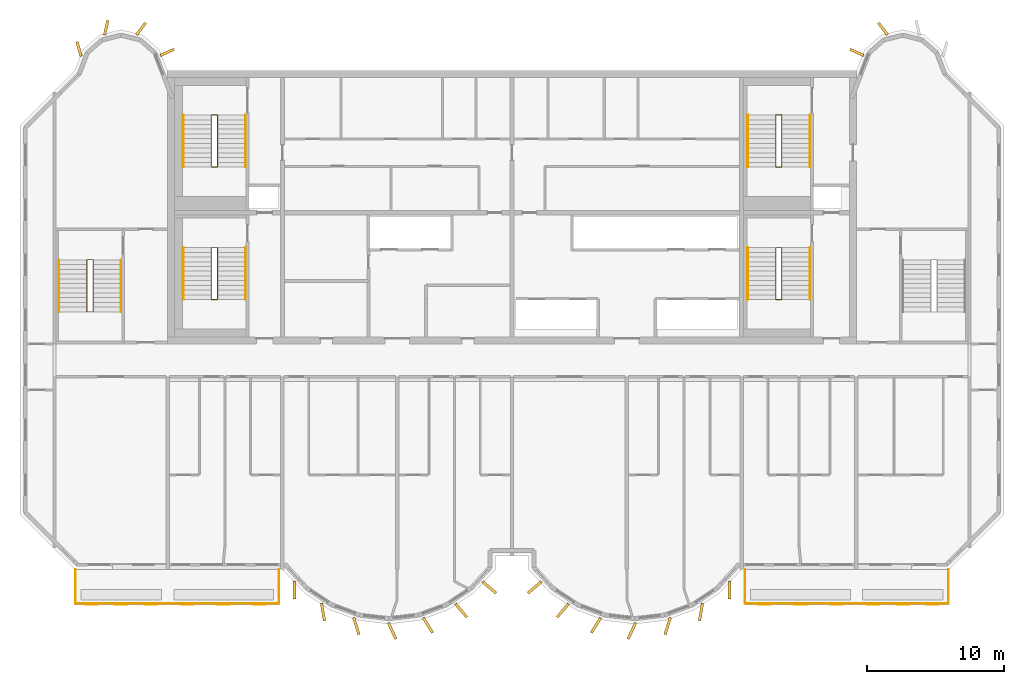
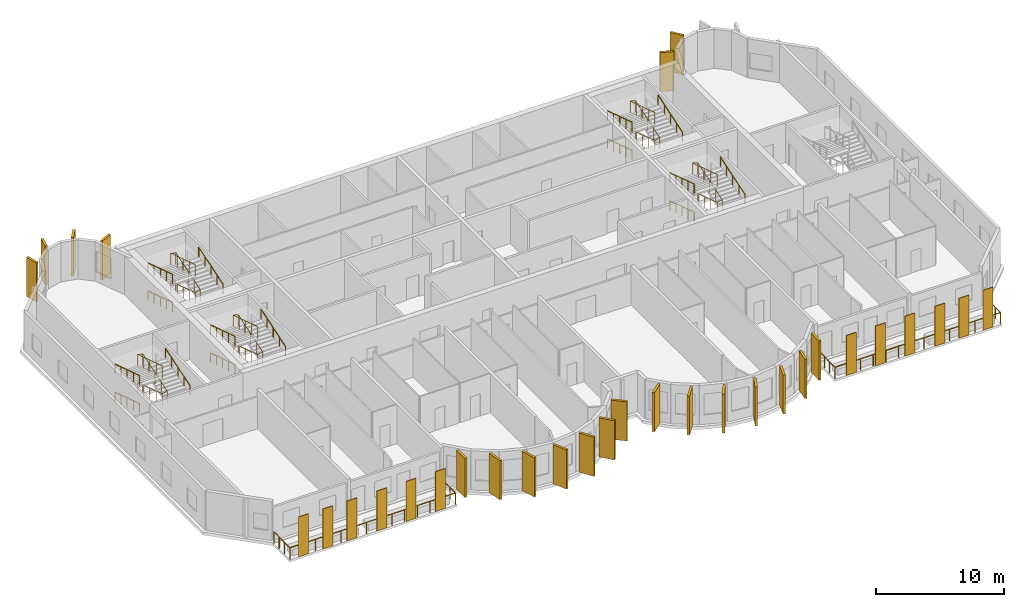
# One storey, part 10 of 12: 32 coverings, 22 railings.
"""IFC4 building model written with IfcOpenShell, lengths in metres."""

from ifc_helpers import new_model, si_unit, direction, frame, origin, origin_2d, place, context, subcontext, project, spatial, rectangle, circle, extrude, source, transform, mapped, material, layer, layer_set, material_profile, profile_set, type_object, element, save


model = new_model("IFC4")

# Units and contexts
model_context = context("Model", 3, precision=1e-05, world=origin(), true_north=direction((0.0, 1.0)))
body_context = subcontext(model_context, "Body", "Model", "MODEL_VIEW")
ifc_project = project(units=[si_unit("LENGTHUNIT", "METRE"), si_unit("AREAUNIT", "SQUARE_METRE"), si_unit("VOLUMEUNIT", "CUBIC_METRE"), si_unit("PLANEANGLEUNIT", "RADIAN"), si_unit("MASSUNIT", "GRAM", prefix="KILO")], contexts=[model_context])

# Site, building, storey
site_placement = place(None, origin())
site = spatial("IfcSite", under=ifc_project, at=site_placement, CompositionType="ELEMENT")
building_placement = place(site_placement, origin())
building = spatial("IfcBuilding", under=site, at=building_placement, Name="Vanashikhar Sky Hotel", CompositionType="ELEMENT")
storey_placement = place(building_placement, frame((0.0, 0.0, 301.699951171875)))
storey = spatial("IfcBuildingStorey", under=building, at=storey_placement, Name="L72", CompositionType="ELEMENT", Elevation=301.699951171875)

# Railings
ifc_material_1 = material(Name="Stainless steel 316", Category="steel")
railing_type_1 = type_object("IfcRailingType", Name="Balcony guard 1100", PredefinedType="GUARDRAIL", material=ifc_material_1)
shared_shape_1 = source(origin(), body_context, "Body", "SweptSolid", [
    extrude(circle(Radius=0.02392578125, at=origin_2d()), frame((0.0, 0.0, 1.076171875), z_axis=(0.0, -1.0, 0.0), x_axis=(1.0, 0.0, 0.0)), (0.0, 0.0, 1.0), 2.5),
    extrude(circle(Radius=0.02392578125, at=origin_2d()), frame((0.0, -2.5, 1.076171875), z_axis=(1.0, 0.0, 0.0), x_axis=(0.0, 1.0, 0.0)), (0.0, 0.0, 1.0), 14.880126953125),
    extrude(circle(Radius=0.02392578125, at=origin_2d()), frame((14.880126953125, -2.5, 1.076171875), z_axis=(0.0, 1.0, 0.0), x_axis=(-1.0, 0.0, 0.0)), (0.0, 0.0, 1.0), 2.5),
    extrude(circle(Radius=0.02099609375, at=origin_2d()), origin(), (0.0, 0.0, 1.0), 1.052001953125),
    extrude(circle(Radius=0.02099609375, at=origin_2d()), frame((0.0, -0.833251953125, 0.0)), (0.0, 0.0, 1.0), 1.052001953125),
    extrude(circle(Radius=0.02099609375, at=origin_2d()), frame((0.0, -1.666748046875, 0.0)), (0.0, 0.0, 1.0), 1.052001953125),
    extrude(circle(Radius=0.02099609375, at=origin_2d()), frame((0.0, -2.5, 0.0)), (0.0, 0.0, 1.0), 1.052001953125),
    extrude(circle(Radius=0.02099609375, at=origin_2d()), frame((1.14453125, -2.5, 0.0)), (0.0, 0.0, 1.0), 1.052001953125),
    extrude(circle(Radius=0.02099609375, at=origin_2d()), frame((2.289306640625, -2.5, 0.0)), (0.0, 0.0, 1.0), 1.052001953125),
    extrude(circle(Radius=0.02099609375, at=origin_2d()), frame((3.433837890625, -2.5, 0.0)), (0.0, 0.0, 1.0), 1.052001953125),
    extrude(circle(Radius=0.02099609375, at=origin_2d()), frame((4.57861328125, -2.5, 0.0)), (0.0, 0.0, 1.0), 1.052001953125),
    extrude(circle(Radius=0.02099609375, at=origin_2d()), frame((5.72314453125, -2.5, 0.0)), (0.0, 0.0, 1.0), 1.052001953125),
    extrude(circle(Radius=0.02099609375, at=origin_2d()), frame((6.86767578125, -2.5, 0.0)), (0.0, 0.0, 1.0), 1.052001953125),
    extrude(circle(Radius=0.02099609375, at=origin_2d()), frame((8.012451171875, -2.5, 0.0)), (0.0, 0.0, 1.0), 1.052001953125),
    extrude(circle(Radius=0.02099609375, at=origin_2d()), frame((9.156982421875, -2.5, 0.0)), (0.0, 0.0, 1.0), 1.052001953125),
    extrude(circle(Radius=0.02099609375, at=origin_2d()), frame((10.301513671875, -2.5, 0.0)), (0.0, 0.0, 1.0), 1.052001953125),
    extrude(circle(Radius=0.02099609375, at=origin_2d()), frame((11.4462890625, -2.5, 0.0)), (0.0, 0.0, 1.0), 1.052001953125),
    extrude(circle(Radius=0.02099609375, at=origin_2d()), frame((12.5908203125, -2.5, 0.0)), (0.0, 0.0, 1.0), 1.052001953125),
    extrude(circle(Radius=0.02099609375, at=origin_2d()), frame((13.735595703125, -2.5, 0.0)), (0.0, 0.0, 1.0), 1.052001953125),
    extrude(circle(Radius=0.02099609375, at=origin_2d()), frame((14.880126953125, -2.5, 0.0)), (0.0, 0.0, 1.0), 1.052001953125),
    extrude(circle(Radius=0.02099609375, at=origin_2d()), frame((14.880126953125, -1.666748046875, 0.0)), (0.0, 0.0, 1.0), 1.052001953125),
    extrude(circle(Radius=0.02099609375, at=origin_2d()), frame((14.880126953125, -0.833251953125, 0.0)), (0.0, 0.0, 1.0), 1.052001953125),
    extrude(circle(Radius=0.02099609375, at=origin_2d()), frame((14.880126953125, 0.0, 0.0)), (0.0, 0.0, 1.0), 1.052001953125),
])
for number, where, name in (
    (1, (18.4599609375, 5.5, -0.050048828125), "Balcony guard"),
    (2, (67.4599609375, 5.5, -0.050048828125), "Balcony guard"),
):
    element("IfcRailing", number, at=place(storey_placement, frame(where)), inside=storey, type_object=railing_type_1, Name=name, PredefinedType="GUARDRAIL", context=body_context, shape_type="MappedRepresentation", body=[
        mapped(shared_shape_1, transform((0.0, 0.0, 0.0), scale=1.0)),
    ])

# Coverings
ifc_material_2 = material(Name="Terracotta", Category="masonry")
ifc_layer = layer(ifc_material_2, 0.06005859375)
ifc_layer_set = layer_set([ifc_layer], Name="Terracotta baguette screen")
covering_type_1 = type_object("IfcCoveringType", Name="Terracotta baguette screen", PredefinedType="CLADDING", material=ifc_layer_set)
shared_shape_2 = source(origin(), body_context, "Body", "SweptSolid", [
    extrude(rectangle(XDim=0.89990234375, YDim=0.06005859375, at=origin_2d()), origin(), (0.0, 0.0, 1.0), 3.800048828125),
])
for number, where, z_axis, x_axis, name in (
    (3, (19.63330078125, 2.929931640625, -0.0498046875), (0.0, 0.0, 1.0), (1.0, 0.0, 0.0), "Terracotta screen"),
    (4, (21.800048828125, 2.929931640625, -0.0498046875), (0.0, 0.0, 1.0), (1.0, 0.0, 0.0), "Terracotta screen"),
    (5, (23.966796875, 2.929931640625, -0.0498046875), (0.0, 0.0, 1.0), (1.0, 0.0, 0.0), "Terracotta screen"),
    (6, (26.666748046875, 2.929931640625, -0.0498046875), (0.0, 0.0, 1.0), (1.0, 0.0, 0.0), "Terracotta screen"),
    (7, (29.300048828125, 2.929931640625, -0.0498046875), (0.0, 0.0, 1.0), (1.0, 0.0, 0.0), "Terracotta screen"),
    (8, (31.933349609375, 2.929931640625, -0.0498046875), (0.0, 0.0, 1.0), (1.0, 0.0, 0.0), "Terracotta screen"),
    (9, (68.86669921875, 2.929931640625, -0.0498046875), (0.0, 0.0, 1.0), (1.0, 0.0, 0.0), "Terracotta screen"),
    (10, (71.5, 2.929931640625, -0.0498046875), (0.0, 0.0, 1.0), (1.0, 0.0, 0.0), "Terracotta screen"),
    (11, (74.13330078125, 2.929931640625, -0.0498046875), (0.0, 0.0, 1.0), (1.0, 0.0, 0.0), "Terracotta screen"),
    (12, (76.833251953125, 2.929931640625, -0.0498046875), (0.0, 0.0, 1.0), (1.0, 0.0, 0.0), "Terracotta screen"),
    (13, (79.0, 2.929931640625, -0.0498046875), (0.0, 0.0, 1.0), (1.0, 0.0, 0.0), "Terracotta screen"),
    (14, (81.166748046875, 2.929931640625, -0.0498046875), (0.0, 0.0, 1.0), (1.0, 0.0, 0.0), "Terracotta screen"),
):
    element("IfcCovering", number, at=place(storey_placement, frame(where, z_axis=z_axis, x_axis=x_axis)), inside=storey, type_object=covering_type_1, Name=name, PredefinedType="CLADDING", context=body_context, shape_type="MappedRepresentation", body=[
        mapped(shared_shape_2, transform((0.0, 0.0, 0.0), scale=1.0)),
    ])
ifc_material_3 = material(Name="Concrete M60 dark", Category="concrete")
ifc_material_profile_1 = material_profile(ifc_material_3, rectangle(XDim=1.300048828125, YDim=0.199951171875, at=origin_2d()))
ifc_profile_set_1 = profile_set([ifc_material_profile_1], Name="Fin 1300 x 200")
covering_type_2 = type_object("IfcCoveringType", Name="Fin 1300 x 200", PredefinedType="CLADDING", material=ifc_profile_set_1)
shared_shape_3 = source(origin(), body_context, "Body", "SweptSolid", [
    extrude(rectangle(XDim=1.300048828125, YDim=0.199951171875, at=origin_2d()), origin(), (0.0, 0.0, 1.0), 3.719970703125),
])
for number, where, z_axis, x_axis, name in (
    (15, (34.482421875, 3.992919921875, 0.0), (0.0, 0.0, 1.0), (0.011588726826, -0.999932848451, 0.0), "Fin F1-1"),
    (16, (36.572509765625, 2.3779296875, 0.0), (0.0, 0.0, 1.0), (0.16989991575, -0.985461322746, 0.0), "Fin F1-2"),
    (17, (39.00830078125, 1.35693359375, 0.0), (0.0, 0.0, 1.0), (0.303966551867, -0.952682704444, 0.0), "Fin F1-3"),
    (18, (41.63232421875, 1.00146484375, 0.0), (0.0, 0.0, 1.0), (0.422618261741, -0.906307787037, 0.0), "Fin F1-4"),
    (19, (44.251953125, 1.416015625, 0.0), (0.0, 0.0, 1.0), (0.534411358496, -0.845224526331, 0.0), "Fin F1-5"),
    (20, (46.676025390625, 2.5, 0.0), (0.0, 0.0, 1.0), (0.645697609467, -0.763593214433, 0.0), "Fin F1-6"),
    (21, (48.7412109375, 4.1845703125, 0.0), (0.0, 0.0, 1.0), (0.758543912032, -0.65162192529, 0.0), "Fin F1-7"),
    (22, (52.058837890625, 4.1845703125, 0.0), (0.0, 0.0, 1.0), (-0.758543912032, -0.65162192529, 0.0), "Fin F2-1"),
    (23, (54.123779296875, 2.5, 0.0), (0.0, 0.0, 1.0), (-0.645697609467, -0.763593214433, 0.0), "Fin F2-2"),
    (24, (56.547119140625, 1.416015625, 0.0), (0.0, 0.0, 1.0), (-0.534411358496, -0.845224526331, 0.0), "Fin F2-3"),
    (25, (59.16748046875, 1.00146484375, 0.0), (0.0, 0.0, 1.0), (-0.422618261741, -0.906307787037, 0.0), "Fin F2-4"),
    (26, (61.790771484375, 1.35693359375, 0.0), (0.0, 0.0, 1.0), (-0.303966551867, -0.952682704444, 0.0), "Fin F2-5"),
    (27, (64.2275390625, 2.3779296875, 0.0), (0.0, 0.0, 1.0), (-0.16989991575, -0.985461322746, 0.0), "Fin F2-6"),
    (28, (66.317626953125, 3.992919921875, 0.0), (0.0, 0.0, 1.0), (-0.011588726826, -0.999932848451, 0.0), "Fin F2-7"),
):
    element("IfcCovering", number, at=place(storey_placement, frame(where, z_axis=z_axis, x_axis=x_axis)), inside=storey, type_object=covering_type_2, Name=name, PredefinedType="CLADDING", context=body_context, shape_type="MappedRepresentation", body=[
        mapped(shared_shape_3, transform((0.0, 0.0, 0.0), scale=1.0)),
    ])
ifc_material_profile_2 = material_profile(ifc_material_3, rectangle(XDim=1.10009765625, YDim=0.199951171875, at=origin_2d()))
ifc_profile_set_2 = profile_set([ifc_material_profile_2], Name="Rear lobe fin 1100 x 200")
covering_type_3 = type_object("IfcCoveringType", Name="Rear lobe fin 1100 x 200", PredefinedType="CLADDING", material=ifc_profile_set_2)
shared_shape_4 = source(origin(), body_context, "Body", "SweptSolid", [
    extrude(rectangle(XDim=1.10009765625, YDim=0.199951171875, at=origin_2d()), origin(), (0.0, 0.0, 1.0), 3.719970703125),
])
for number, where, z_axis, x_axis, name in (
    (29, (18.720703125, 43.580078125, 0.0), (0.0, 0.0, 1.0), (-0.262711264409, 0.964874495234, 0.0), "Fin R1-1"),
    (30, (20.710205078125, 45.1455078125, 0.0), (0.0, 0.0, 1.0), (0.224644935864, 0.974440687159, 0.0), "Fin R1-2"),
    (31, (23.261962890625, 45.06640625, 0.0), (0.0, 0.0, 1.0), (0.602065892195, 0.798446404874, 0.0), "Fin R1-3"),
    (32, (25.169677734375, 43.33447265625, 0.0), (0.0, 0.0, 1.0), (0.908004291068, 0.418960866193, 0.0), "Fin R1-4"),
    (33, (75.63037109375, 43.33447265625, 0.0), (0.0, 0.0, 1.0), (-0.908004291068, 0.418960866193, 0.0), "Fin R2-1"),
    (34, (77.5380859375, 45.06640625, 0.0), (0.0, 0.0, 1.0), (-0.602065892195, 0.798446404874, 0.0), "Fin R2-2"),
):
    element("IfcCovering", number, at=place(storey_placement, frame(where, z_axis=z_axis, x_axis=x_axis)), inside=storey, type_object=covering_type_3, Name=name, PredefinedType="CLADDING", context=body_context, shape_type="MappedRepresentation", body=[
        mapped(shared_shape_4, transform((0.0, 0.0, 0.0), scale=1.0)),
    ])

# Railings
ifc_material_4 = material(Name="Steel S355", Category="steel")
railing_type_2 = type_object("IfcRailingType", Name="Stair guard 1100", PredefinedType="GUARDRAIL", material=ifc_material_4)
shared_shape_5 = source(origin(), body_context, "Body", "SweptSolid", [
    extrude(circle(Radius=0.02392578125, at=origin_2d()), frame((0.0, 0.0, 1.076171875), z_axis=(-0.970881249867, 0.0, 0.239561262847), x_axis=(0.0, -1.0, 0.0)), (0.0, 0.0, 1.0), 0.463623046875),
    extrude(circle(Radius=0.02392578125, at=origin_2d()), frame((-0.4501953125, 0.0, 1.18701171875), z_axis=(0.0, -0.95195790124, 0.306228924607), x_axis=(1.0, 0.0, 0.0)), (0.0, 0.0, 1.0), 3.991943359375),
    extrude(circle(Radius=0.02392578125, at=origin_2d()), frame((-0.4501953125, -3.800048828125, 2.40966796875), z_axis=(0.970881249867, 0.0, 0.239561262847), x_axis=(0.0, 1.0, 0.0)), (0.0, 0.0, 1.0), 0.463623046875),
    extrude(circle(Radius=0.02392578125, at=origin_2d()), frame((0.0, -3.800048828125, 2.5205078125), z_axis=(0.0, 0.95197572919, 0.306173498254), x_axis=(-1.0, 0.0, 0.0)), (0.0, 0.0, 1.0), 3.99169921875),
    extrude(circle(Radius=0.02392578125, at=origin_2d()), frame((0.0, 0.0, 3.74267578125), z_axis=(-0.970881249867, 0.0, 0.239561262847), x_axis=(0.0, -1.0, 0.0)), (0.0, 0.0, 1.0), 0.463623046875),
    extrude(circle(Radius=0.02392578125, at=origin_2d()), frame((-0.4501953125, 0.0, 3.85400390625), z_axis=(0.0, -0.95197572919, 0.306173498254), x_axis=(1.0, 0.0, 0.0)), (0.0, 0.0, 1.0), 3.99169921875),
    extrude(circle(Radius=0.02099609375, at=origin_2d()), origin(), (0.0, 0.0, 1.0), 1.052001953125),
    extrude(circle(Radius=0.02099609375, at=origin_2d()), frame((-0.4501953125, 0.0, 0.111083984375)), (0.0, 0.0, 1.0), 1.052001953125),
    extrude(circle(Radius=0.02099609375, at=origin_2d()), frame((-0.4501953125, -0.949951171875, 0.416748046875)), (0.0, 0.0, 1.0), 1.052001953125),
    extrude(circle(Radius=0.02099609375, at=origin_2d()), frame((-0.4501953125, -1.89990234375, 0.72216796875)), (0.0, 0.0, 1.0), 1.052001953125),
    extrude(circle(Radius=0.02099609375, at=origin_2d()), frame((-0.4501953125, -2.85009765625, 1.02783203125)), (0.0, 0.0, 1.0), 1.052001953125),
    extrude(circle(Radius=0.02099609375, at=origin_2d()), frame((-0.4501953125, -3.800048828125, 1.33349609375)), (0.0, 0.0, 1.0), 1.052001953125),
    extrude(circle(Radius=0.02099609375, at=origin_2d()), frame((0.0, -3.800048828125, 1.444580078125)), (0.0, 0.0, 1.0), 1.052001953125),
    extrude(circle(Radius=0.02099609375, at=origin_2d()), frame((0.0, -2.85009765625, 1.75)), (0.0, 0.0, 1.0), 1.052001953125),
    extrude(circle(Radius=0.02099609375, at=origin_2d()), frame((0.0, -1.89990234375, 2.0556640625)), (0.0, 0.0, 1.0), 1.052001953125),
    extrude(circle(Radius=0.02099609375, at=origin_2d()), frame((0.0, -0.949951171875, 2.361328125)), (0.0, 0.0, 1.0), 1.052001953125),
    extrude(circle(Radius=0.02099609375, at=origin_2d()), frame((0.0, 0.0, 2.666748046875)), (0.0, 0.0, 1.0), 1.052001953125),
    extrude(circle(Radius=0.02099609375, at=origin_2d()), frame((-0.4501953125, 0.0, 2.77783203125)), (0.0, 0.0, 1.0), 1.052001953125),
    extrude(circle(Radius=0.02099609375, at=origin_2d()), frame((-0.4501953125, -0.949951171875, 3.08349609375)), (0.0, 0.0, 1.0), 1.052001953125),
    extrude(circle(Radius=0.02099609375, at=origin_2d()), frame((-0.4501953125, -1.89990234375, 3.388916015625)), (0.0, 0.0, 1.0), 1.052001953125),
    extrude(circle(Radius=0.02099609375, at=origin_2d()), frame((-0.4501953125, -2.85009765625, 3.6943359375)), (0.0, 0.0, 1.0), 1.052001953125),
    extrude(circle(Radius=0.02099609375, at=origin_2d()), frame((-0.4501953125, -3.800048828125, 4.0)), (0.0, 0.0, 1.0), 1.052001953125),
])
for number, where, name in (
    (35, (28.85009765625, 29.050048828125, 0.0), "Exit stair 1 guard"),
    (36, (28.85009765625, 38.75, 0.0), "Exit stair 5 guard"),
):
    element("IfcRailing", number, at=place(storey_placement, frame(where)), inside=storey, type_object=railing_type_2, Name=name, PredefinedType="GUARDRAIL", context=body_context, shape_type="MappedRepresentation", body=[
        mapped(shared_shape_5, transform((0.0, 0.0, 0.0), scale=1.0)),
    ])
railing_type_3 = type_object("IfcRailingType", Name="Stair handrail 900", PredefinedType="HANDRAIL", material=ifc_material_4)
shared_shape_6 = source(origin(), body_context, "Body", "SweptSolid", [
    extrude(circle(Radius=0.02392578125, at=origin_2d()), frame((0.0, 0.0, 0.8759765625), z_axis=(0.0, -0.95195790124, 0.306228924607), x_axis=(1.0, 0.0, 0.0)), (0.0, 0.0, 1.0), 3.991943359375),
    extrude(circle(Radius=0.02099609375, at=origin_2d()), origin(), (0.0, 0.0, 1.0), 0.851806640625),
    extrude(circle(Radius=0.02099609375, at=origin_2d()), frame((0.0, -0.949951171875, 0.3056640625)), (0.0, 0.0, 1.0), 0.851806640625),
    extrude(circle(Radius=0.02099609375, at=origin_2d()), frame((0.0, -1.89990234375, 0.611328125)), (0.0, 0.0, 1.0), 0.851806640625),
    extrude(circle(Radius=0.02099609375, at=origin_2d()), frame((0.0, -2.85009765625, 0.916748046875)), (0.0, 0.0, 1.0), 0.851806640625),
    extrude(circle(Radius=0.02099609375, at=origin_2d()), frame((0.0, -3.800048828125, 1.222412109375)), (0.0, 0.0, 1.0), 0.851806640625),
])
for number, where, name in (
    (37, (26.35009765625, 29.050048828125, 0.111083984375), "Exit stair 1 handrail"),
    (38, (67.64990234375, 29.050048828125, 0.111083984375), "Exit stair 2 handrail"),
    (39, (26.35009765625, 38.75, 0.111083984375), "Exit stair 5 handrail"),
    (40, (67.64990234375, 38.75, 0.111083984375), "Exit stair 6 handrail"),
):
    element("IfcRailing", number, at=place(storey_placement, frame(where)), inside=storey, type_object=railing_type_3, Name=name, PredefinedType="HANDRAIL", context=body_context, shape_type="MappedRepresentation", body=[
        mapped(shared_shape_6, transform((0.0, 0.0, 0.0), scale=1.0)),
    ])
shared_shape_7 = source(origin(), body_context, "Body", "SweptSolid", [
    extrude(circle(Radius=0.02392578125, at=origin_2d()), frame((0.0, 0.0, 0.8759765625), z_axis=(0.0, 0.95197572919, 0.306173498254), x_axis=(-1.0, 0.0, 0.0)), (0.0, 0.0, 1.0), 3.99169921875),
    extrude(circle(Radius=0.02099609375, at=origin_2d()), origin(), (0.0, 0.0, 1.0), 0.851806640625),
    extrude(circle(Radius=0.02099609375, at=origin_2d()), frame((0.0, 0.949951171875, 0.3056640625)), (0.0, 0.0, 1.0), 0.851806640625),
    extrude(circle(Radius=0.02099609375, at=origin_2d()), frame((0.0, 1.89990234375, 0.611083984375)), (0.0, 0.0, 1.0), 0.851806640625),
    extrude(circle(Radius=0.02099609375, at=origin_2d()), frame((0.0, 2.85009765625, 0.91650390625)), (0.0, 0.0, 1.0), 0.851806640625),
    extrude(circle(Radius=0.02099609375, at=origin_2d()), frame((0.0, 3.800048828125, 1.22216796875)), (0.0, 0.0, 1.0), 0.851806640625),
])
for number, where, name in (
    (41, (30.89990234375, 25.25, 1.444580078125), "Exit stair 1 handrail"),
    (42, (72.199951171875, 25.25, 1.444580078125), "Exit stair 2 handrail"),
    (43, (30.89990234375, 34.949951171875, 1.444580078125), "Exit stair 5 handrail"),
    (44, (72.199951171875, 34.949951171875, 1.444580078125), "Exit stair 6 handrail"),
):
    element("IfcRailing", number, at=place(storey_placement, frame(where)), inside=storey, type_object=railing_type_3, Name=name, PredefinedType="HANDRAIL", context=body_context, shape_type="MappedRepresentation", body=[
        mapped(shared_shape_7, transform((0.0, 0.0, 0.0), scale=1.0)),
    ])
shared_shape_8 = source(origin(), body_context, "Body", "SweptSolid", [
    extrude(circle(Radius=0.02392578125, at=origin_2d()), frame((0.0, 0.0, 0.8759765625), z_axis=(0.0, -0.95197572919, 0.306173498254), x_axis=(1.0, 0.0, 0.0)), (0.0, 0.0, 1.0), 3.99169921875),
    extrude(circle(Radius=0.02099609375, at=origin_2d()), origin(), (0.0, 0.0, 1.0), 0.851806640625),
    extrude(circle(Radius=0.02099609375, at=origin_2d()), frame((0.0, -0.949951171875, 0.3056640625)), (0.0, 0.0, 1.0), 0.851806640625),
    extrude(circle(Radius=0.02099609375, at=origin_2d()), frame((0.0, -1.89990234375, 0.611083984375)), (0.0, 0.0, 1.0), 0.851806640625),
    extrude(circle(Radius=0.02099609375, at=origin_2d()), frame((0.0, -2.85009765625, 0.91650390625)), (0.0, 0.0, 1.0), 0.851806640625),
    extrude(circle(Radius=0.02099609375, at=origin_2d()), frame((0.0, -3.800048828125, 1.22216796875)), (0.0, 0.0, 1.0), 0.851806640625),
])
for number, where, name in (
    (45, (26.35009765625, 29.050048828125, 2.77783203125), "Exit stair 1 handrail"),
    (46, (67.64990234375, 29.050048828125, 2.77783203125), "Exit stair 2 handrail"),
    (47, (26.35009765625, 38.75, 2.77783203125), "Exit stair 5 handrail"),
    (48, (67.64990234375, 38.75, 2.77783203125), "Exit stair 6 handrail"),
):
    element("IfcRailing", number, at=place(storey_placement, frame(where)), inside=storey, type_object=railing_type_3, Name=name, PredefinedType="HANDRAIL", context=body_context, shape_type="MappedRepresentation", body=[
        mapped(shared_shape_8, transform((0.0, 0.0, 0.0), scale=1.0)),
    ])
shared_shape_9 = source(origin(), body_context, "Body", "SweptSolid", [
    extrude(circle(Radius=0.02392578125, at=origin_2d()), frame((0.0, 0.0, 1.076171875), z_axis=(-0.970851010584, 0.0, 0.239683781777), x_axis=(0.0, -1.0, 0.0)), (0.0, 0.0, 1.0), 0.46337890625),
    extrude(circle(Radius=0.02392578125, at=origin_2d()), frame((-0.449951171875, 0.0, 1.18701171875), z_axis=(0.0, -0.95195790124, 0.306228924607), x_axis=(1.0, 0.0, 0.0)), (0.0, 0.0, 1.0), 3.991943359375),
    extrude(circle(Radius=0.02392578125, at=origin_2d()), frame((-0.449951171875, -3.800048828125, 2.40966796875), z_axis=(0.970851010584, 0.0, 0.239683781777), x_axis=(0.0, 1.0, 0.0)), (0.0, 0.0, 1.0), 0.46337890625),
    extrude(circle(Radius=0.02392578125, at=origin_2d()), frame((0.0, -3.800048828125, 2.5205078125), z_axis=(0.0, 0.95197572919, 0.306173498254), x_axis=(-1.0, 0.0, 0.0)), (0.0, 0.0, 1.0), 3.99169921875),
    extrude(circle(Radius=0.02392578125, at=origin_2d()), frame((0.0, 0.0, 3.74267578125), z_axis=(-0.970851010584, 0.0, 0.239683781777), x_axis=(0.0, -1.0, 0.0)), (0.0, 0.0, 1.0), 0.46337890625),
    extrude(circle(Radius=0.02392578125, at=origin_2d()), frame((-0.449951171875, 0.0, 3.85400390625), z_axis=(0.0, -0.95197572919, 0.306173498254), x_axis=(1.0, 0.0, 0.0)), (0.0, 0.0, 1.0), 3.99169921875),
    extrude(circle(Radius=0.02099609375, at=origin_2d()), origin(), (0.0, 0.0, 1.0), 1.052001953125),
    extrude(circle(Radius=0.02099609375, at=origin_2d()), frame((-0.449951171875, 0.0, 0.111083984375)), (0.0, 0.0, 1.0), 1.052001953125),
    extrude(circle(Radius=0.02099609375, at=origin_2d()), frame((-0.449951171875, -0.949951171875, 0.416748046875)), (0.0, 0.0, 1.0), 1.052001953125),
    extrude(circle(Radius=0.02099609375, at=origin_2d()), frame((-0.449951171875, -1.89990234375, 0.72216796875)), (0.0, 0.0, 1.0), 1.052001953125),
    extrude(circle(Radius=0.02099609375, at=origin_2d()), frame((-0.449951171875, -2.85009765625, 1.02783203125)), (0.0, 0.0, 1.0), 1.052001953125),
    extrude(circle(Radius=0.02099609375, at=origin_2d()), frame((-0.449951171875, -3.800048828125, 1.33349609375)), (0.0, 0.0, 1.0), 1.052001953125),
    extrude(circle(Radius=0.02099609375, at=origin_2d()), frame((0.0, -3.800048828125, 1.444580078125)), (0.0, 0.0, 1.0), 1.052001953125),
    extrude(circle(Radius=0.02099609375, at=origin_2d()), frame((0.0, -2.85009765625, 1.75)), (0.0, 0.0, 1.0), 1.052001953125),
    extrude(circle(Radius=0.02099609375, at=origin_2d()), frame((0.0, -1.89990234375, 2.0556640625)), (0.0, 0.0, 1.0), 1.052001953125),
    extrude(circle(Radius=0.02099609375, at=origin_2d()), frame((0.0, -0.949951171875, 2.361328125)), (0.0, 0.0, 1.0), 1.052001953125),
    extrude(circle(Radius=0.02099609375, at=origin_2d()), frame((0.0, 0.0, 2.666748046875)), (0.0, 0.0, 1.0), 1.052001953125),
    extrude(circle(Radius=0.02099609375, at=origin_2d()), frame((-0.449951171875, 0.0, 2.77783203125)), (0.0, 0.0, 1.0), 1.052001953125),
    extrude(circle(Radius=0.02099609375, at=origin_2d()), frame((-0.449951171875, -0.949951171875, 3.08349609375)), (0.0, 0.0, 1.0), 1.052001953125),
    extrude(circle(Radius=0.02099609375, at=origin_2d()), frame((-0.449951171875, -1.89990234375, 3.388916015625)), (0.0, 0.0, 1.0), 1.052001953125),
    extrude(circle(Radius=0.02099609375, at=origin_2d()), frame((-0.449951171875, -2.85009765625, 3.6943359375)), (0.0, 0.0, 1.0), 1.052001953125),
    extrude(circle(Radius=0.02099609375, at=origin_2d()), frame((-0.449951171875, -3.800048828125, 4.0)), (0.0, 0.0, 1.0), 1.052001953125),
])
for number, where, name in (
    (49, (70.14990234375, 29.050048828125, 0.0), "Exit stair 2 guard"),
    (50, (70.14990234375, 38.75, 0.0), "Exit stair 6 guard"),
):
    element("IfcRailing", number, at=place(storey_placement, frame(where)), inside=storey, type_object=railing_type_2, Name=name, PredefinedType="GUARDRAIL", context=body_context, shape_type="MappedRepresentation", body=[
        mapped(shared_shape_9, transform((0.0, 0.0, 0.0), scale=1.0)),
    ])
shared_shape_10 = source(origin(), body_context, "Body", "SweptSolid", [
    extrude(circle(Radius=0.02392578125, at=origin_2d()), frame((0.0, 0.0, 1.076171875), z_axis=(-0.970851010584, 0.0, 0.239683781777), x_axis=(0.0, -1.0, 0.0)), (0.0, 0.0, 1.0), 0.46337890625),
    extrude(circle(Radius=0.02392578125, at=origin_2d()), frame((-0.449951171875, 0.0, 1.18701171875), z_axis=(0.0, -0.951952165375, 0.306246754821), x_axis=(1.0, 0.0, 0.0)), (0.0, 0.0, 1.0), 3.99169921875),
    extrude(circle(Radius=0.02392578125, at=origin_2d()), frame((-0.449951171875, -3.7998046875, 2.40966796875), z_axis=(0.970851010584, 0.0, 0.239683781777), x_axis=(0.0, 1.0, 0.0)), (0.0, 0.0, 1.0), 0.46337890625),
    extrude(circle(Radius=0.02392578125, at=origin_2d()), frame((0.0, -3.7998046875, 2.5205078125), z_axis=(0.0, 0.951969995293, 0.306191325908), x_axis=(-1.0, 0.0, 0.0)), (0.0, 0.0, 1.0), 3.991455078125),
    extrude(circle(Radius=0.02392578125, at=origin_2d()), frame((0.0, 0.0, 3.74267578125), z_axis=(-0.970851010584, 0.0, 0.239683781777), x_axis=(0.0, -1.0, 0.0)), (0.0, 0.0, 1.0), 0.46337890625),
    extrude(circle(Radius=0.02392578125, at=origin_2d()), frame((-0.449951171875, 0.0, 3.85400390625), z_axis=(0.0, -0.951969995293, 0.306191325908), x_axis=(1.0, 0.0, 0.0)), (0.0, 0.0, 1.0), 3.991455078125),
    extrude(circle(Radius=0.02099609375, at=origin_2d()), origin(), (0.0, 0.0, 1.0), 1.052001953125),
    extrude(circle(Radius=0.02099609375, at=origin_2d()), frame((-0.449951171875, 0.0, 0.111083984375)), (0.0, 0.0, 1.0), 1.052001953125),
    extrude(circle(Radius=0.02099609375, at=origin_2d()), frame((-0.449951171875, -0.949951171875, 0.416748046875)), (0.0, 0.0, 1.0), 1.052001953125),
    extrude(circle(Radius=0.02099609375, at=origin_2d()), frame((-0.449951171875, -1.89990234375, 0.72216796875)), (0.0, 0.0, 1.0), 1.052001953125),
    extrude(circle(Radius=0.02099609375, at=origin_2d()), frame((-0.449951171875, -2.849853515625, 1.02783203125)), (0.0, 0.0, 1.0), 1.052001953125),
    extrude(circle(Radius=0.02099609375, at=origin_2d()), frame((-0.449951171875, -3.7998046875, 1.33349609375)), (0.0, 0.0, 1.0), 1.052001953125),
    extrude(circle(Radius=0.02099609375, at=origin_2d()), frame((0.0, -3.7998046875, 1.444580078125)), (0.0, 0.0, 1.0), 1.052001953125),
    extrude(circle(Radius=0.02099609375, at=origin_2d()), frame((0.0, -2.849853515625, 1.75)), (0.0, 0.0, 1.0), 1.052001953125),
    extrude(circle(Radius=0.02099609375, at=origin_2d()), frame((0.0, -1.89990234375, 2.0556640625)), (0.0, 0.0, 1.0), 1.052001953125),
    extrude(circle(Radius=0.02099609375, at=origin_2d()), frame((0.0, -0.949951171875, 2.361328125)), (0.0, 0.0, 1.0), 1.052001953125),
    extrude(circle(Radius=0.02099609375, at=origin_2d()), frame((0.0, 0.0, 2.666748046875)), (0.0, 0.0, 1.0), 1.052001953125),
    extrude(circle(Radius=0.02099609375, at=origin_2d()), frame((-0.449951171875, 0.0, 2.77783203125)), (0.0, 0.0, 1.0), 1.052001953125),
    extrude(circle(Radius=0.02099609375, at=origin_2d()), frame((-0.449951171875, -0.949951171875, 3.08349609375)), (0.0, 0.0, 1.0), 1.052001953125),
    extrude(circle(Radius=0.02099609375, at=origin_2d()), frame((-0.449951171875, -1.89990234375, 3.388916015625)), (0.0, 0.0, 1.0), 1.052001953125),
    extrude(circle(Radius=0.02099609375, at=origin_2d()), frame((-0.449951171875, -2.849853515625, 3.6943359375)), (0.0, 0.0, 1.0), 1.052001953125),
    extrude(circle(Radius=0.02099609375, at=origin_2d()), frame((-0.449951171875, -3.7998046875, 4.0)), (0.0, 0.0, 1.0), 1.052001953125),
])
railing_1_placement = place(storey_placement, frame((19.75, 28.14990234375, 0.0)))
element("IfcRailing", 51, at=railing_1_placement, inside=storey, type_object=railing_type_2, Name="Exit stair 3 guard", PredefinedType="GUARDRAIL", context=body_context, shape_type="MappedRepresentation", body=[
    mapped(shared_shape_10, transform((0.0, 0.0, 0.0), scale=1.0)),
])
shared_shape_11 = source(origin(), body_context, "Body", "SweptSolid", [
    extrude(circle(Radius=0.02392578125, at=origin_2d()), frame((0.0, 0.0, 0.8759765625), z_axis=(0.0, -0.951952165375, 0.306246754821), x_axis=(1.0, 0.0, 0.0)), (0.0, 0.0, 1.0), 3.99169921875),
    extrude(circle(Radius=0.02099609375, at=origin_2d()), origin(), (0.0, 0.0, 1.0), 0.851806640625),
    extrude(circle(Radius=0.02099609375, at=origin_2d()), frame((0.0, -0.949951171875, 0.3056640625)), (0.0, 0.0, 1.0), 0.851806640625),
    extrude(circle(Radius=0.02099609375, at=origin_2d()), frame((0.0, -1.89990234375, 0.611328125)), (0.0, 0.0, 1.0), 0.851806640625),
    extrude(circle(Radius=0.02099609375, at=origin_2d()), frame((0.0, -2.849853515625, 0.916748046875)), (0.0, 0.0, 1.0), 0.851806640625),
    extrude(circle(Radius=0.02099609375, at=origin_2d()), frame((0.0, -3.7998046875, 1.222412109375)), (0.0, 0.0, 1.0), 0.851806640625),
])
railing_2_placement = place(storey_placement, frame((17.25, 28.14990234375, 0.111083984375)))
element("IfcRailing", 52, at=railing_2_placement, inside=storey, type_object=railing_type_3, Name="Exit stair 3 handrail", PredefinedType="HANDRAIL", context=body_context, shape_type="MappedRepresentation", body=[
    mapped(shared_shape_11, transform((0.0, 0.0, 0.0), scale=1.0)),
])
shared_shape_12 = source(origin(), body_context, "Body", "SweptSolid", [
    extrude(circle(Radius=0.02392578125, at=origin_2d()), frame((0.0, 0.0, 0.8759765625), z_axis=(0.0, 0.951969995293, 0.306191325908), x_axis=(-1.0, 0.0, 0.0)), (0.0, 0.0, 1.0), 3.991455078125),
    extrude(circle(Radius=0.02099609375, at=origin_2d()), origin(), (0.0, 0.0, 1.0), 0.851806640625),
    extrude(circle(Radius=0.02099609375, at=origin_2d()), frame((0.0, 0.949951171875, 0.3056640625)), (0.0, 0.0, 1.0), 0.851806640625),
    extrude(circle(Radius=0.02099609375, at=origin_2d()), frame((0.0, 1.89990234375, 0.611083984375)), (0.0, 0.0, 1.0), 0.851806640625),
    extrude(circle(Radius=0.02099609375, at=origin_2d()), frame((0.0, 2.849853515625, 0.91650390625)), (0.0, 0.0, 1.0), 0.851806640625),
    extrude(circle(Radius=0.02099609375, at=origin_2d()), frame((0.0, 3.7998046875, 1.22216796875)), (0.0, 0.0, 1.0), 0.851806640625),
])
railing_3_placement = place(storey_placement, frame((21.800048828125, 24.35009765625, 1.444580078125)))
element("IfcRailing", 53, at=railing_3_placement, inside=storey, type_object=railing_type_3, Name="Exit stair 3 handrail", PredefinedType="HANDRAIL", context=body_context, shape_type="MappedRepresentation", body=[
    mapped(shared_shape_12, transform((0.0, 0.0, 0.0), scale=1.0)),
])
shared_shape_13 = source(origin(), body_context, "Body", "SweptSolid", [
    extrude(circle(Radius=0.02392578125, at=origin_2d()), frame((0.0, 0.0, 0.8759765625), z_axis=(0.0, -0.951969995293, 0.306191325908), x_axis=(1.0, 0.0, 0.0)), (0.0, 0.0, 1.0), 3.991455078125),
    extrude(circle(Radius=0.02099609375, at=origin_2d()), origin(), (0.0, 0.0, 1.0), 0.851806640625),
    extrude(circle(Radius=0.02099609375, at=origin_2d()), frame((0.0, -0.949951171875, 0.3056640625)), (0.0, 0.0, 1.0), 0.851806640625),
    extrude(circle(Radius=0.02099609375, at=origin_2d()), frame((0.0, -1.89990234375, 0.611083984375)), (0.0, 0.0, 1.0), 0.851806640625),
    extrude(circle(Radius=0.02099609375, at=origin_2d()), frame((0.0, -2.849853515625, 0.91650390625)), (0.0, 0.0, 1.0), 0.851806640625),
    extrude(circle(Radius=0.02099609375, at=origin_2d()), frame((0.0, -3.7998046875, 1.22216796875)), (0.0, 0.0, 1.0), 0.851806640625),
])
railing_4_placement = place(storey_placement, frame((17.25, 28.14990234375, 2.77783203125)))
element("IfcRailing", 54, at=railing_4_placement, inside=storey, type_object=railing_type_3, Name="Exit stair 3 handrail", PredefinedType="HANDRAIL", context=body_context, shape_type="MappedRepresentation", body=[
    mapped(shared_shape_13, transform((0.0, 0.0, 0.0), scale=1.0)),
])

save(model, "model.ifc")
